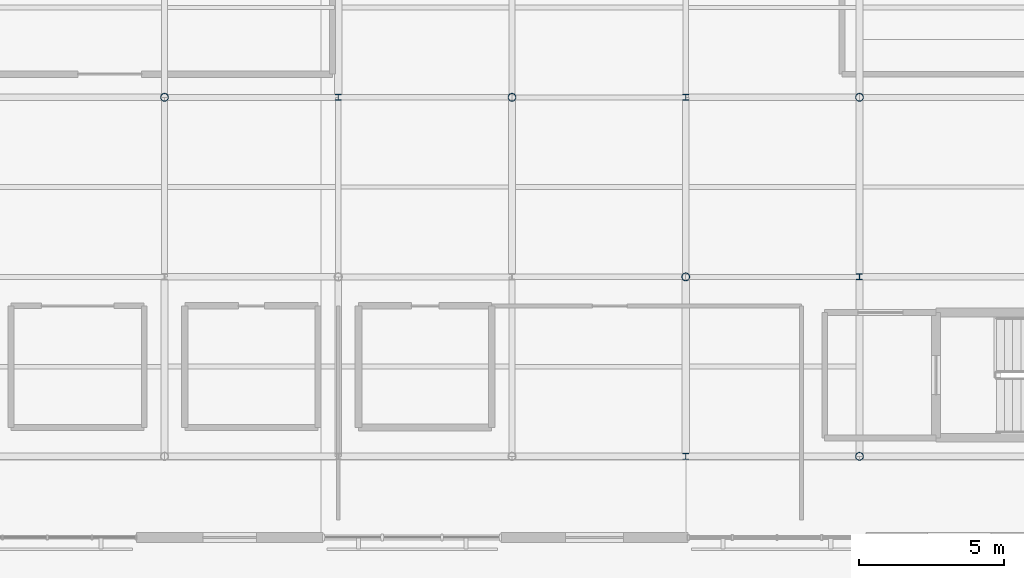
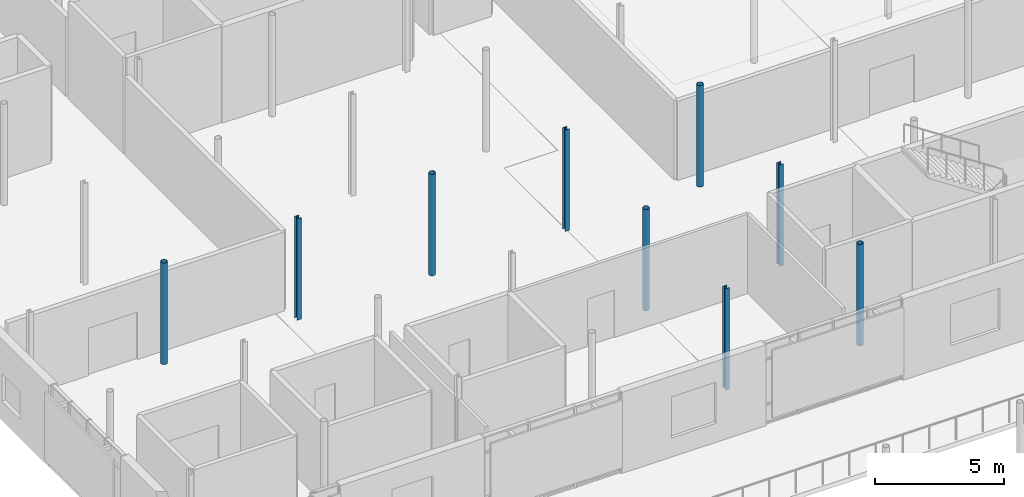
# One storey, part 7 of 66: 9 columns.
"""IFC4 building model written with IfcOpenShell, lengths in metres."""

from ifc_helpers import new_model, si_unit, direction, frame, origin, origin_2d, place, context, subcontext, project, spatial, hollow_circle, i_section, extrude, material, material_profile, profile_set, type_object, element, save


model = new_model("IFC4")

# Units and contexts
model_context = context("Model", 3, precision=1e-05, world=origin(), true_north=direction((0.0, 1.0)))
body_context = subcontext(model_context, "Body", "Model", "MODEL_VIEW")
ifc_project = project(units=[si_unit("LENGTHUNIT", "METRE"), si_unit("AREAUNIT", "SQUARE_METRE"), si_unit("VOLUMEUNIT", "CUBIC_METRE"), si_unit("PLANEANGLEUNIT", "RADIAN"), si_unit("MASSUNIT", "GRAM", prefix="KILO")], contexts=[model_context])

# Site, building, storey
site_placement = place(None, origin())
site = spatial("IfcSite", under=ifc_project, at=site_placement, CompositionType="ELEMENT")
building_placement = place(site_placement, origin())
building = spatial("IfcBuilding", under=site, at=building_placement, Name="Mirzam Square Science Centre", CompositionType="ELEMENT")
storey_placement = place(building_placement, frame((0.0, 0.0, 15.60009765625)))
storey = spatial("IfcBuildingStorey", under=building, at=storey_placement, Name="L03", CompositionType="ELEMENT", Elevation=15.60009765625)

# Columns
ifc_material = material(Name="Steel S355", Category="steel")
ifc_material_profile_1 = material_profile(ifc_material, hollow_circle(Radius=0.136474609375, WallThickness=0.010009765625, at=origin_2d()), Name="273.0x10.0CHS")
ifc_profile_set_1 = profile_set([ifc_material_profile_1], Name="Steel S355")
column_type_1 = type_object("IfcColumnType", Name="COL-CHS273", PredefinedType="COLUMN", material=ifc_profile_set_1)
for number, where, z_axis, x_axis, name in (
    (1, (114.0, 62.0, 0.0), (0.0, 0.0, 1.0), (1.0, 0.0, 0.0), "L03 column G20-11"),
    (2, (126.0, 62.0, 0.0), (0.0, 0.0, 1.0), (1.0, 0.0, 0.0), "L03 column G22-11"),
    (3, (132.0, 55.800048828125, 0.0), (0.0, 0.0, 1.0), (1.0, 0.0, 0.0), "L03 column G23-10"),
    (4, (138.0, 49.60009765625, 0.0), (0.0, 0.0, 1.0), (1.0, 0.0, 0.0), "L03 column G24-09"),
    (5, (138.0, 62.0, 0.0), (0.0, 0.0, 1.0), (1.0, 0.0, 0.0), "L03 column G24-11"),
):
    element("IfcColumn", number, at=place(storey_placement, frame(where, z_axis=z_axis, x_axis=x_axis)), inside=storey, type_object=column_type_1, Name=name, PredefinedType="COLUMN", context=body_context, shape_type="SweptSolid", body=[
        extrude(hollow_circle(Radius=0.136474609375, WallThickness=0.010009765625, at=origin_2d()), origin(), (0.0, 0.0, 1.0), 4.7998046875),
    ])
ifc_material_profile_2 = material_profile(ifc_material, i_section(OverallWidth=0.205810546875, OverallDepth=0.209716796875, WebThickness=0.009521484375, FlangeThickness=0.01416015625, FilletRadius=0.01025390625, at=origin_2d()), Name="203x203x60UC")
ifc_profile_set_2 = profile_set([ifc_material_profile_2], Name="Steel S355")
column_type_2 = type_object("IfcColumnType", Name="COL-UC203A", PredefinedType="COLUMN", material=ifc_profile_set_2)
for number, where, z_axis, x_axis, name in (
    (6, (120.0, 62.0, 0.0), (0.0, 0.0, 1.0), (1.0, 0.0, 0.0), "L03 column G21-11"),
    (7, (132.0, 49.60009765625, 0.0), (0.0, 0.0, 1.0), (1.0, 0.0, 0.0), "L03 column G23-09"),
    (8, (132.0, 62.0, 0.0), (0.0, 0.0, 1.0), (1.0, 0.0, 0.0), "L03 column G23-11"),
    (9, (138.0, 55.800048828125, 0.0), (0.0, 0.0, 1.0), (1.0, 0.0, 0.0), "L03 column G24-10"),
):
    element("IfcColumn", number, at=place(storey_placement, frame(where, z_axis=z_axis, x_axis=x_axis)), inside=storey, type_object=column_type_2, Name=name, PredefinedType="COLUMN", context=body_context, shape_type="SweptSolid", body=[
        extrude(i_section(OverallWidth=0.205810546875, OverallDepth=0.209716796875, WebThickness=0.009521484375, FlangeThickness=0.01416015625, FilletRadius=0.01025390625, at=origin_2d()), origin(), (0.0, 0.0, 1.0), 4.7998046875),
    ])

save(model, "model.ifc")
